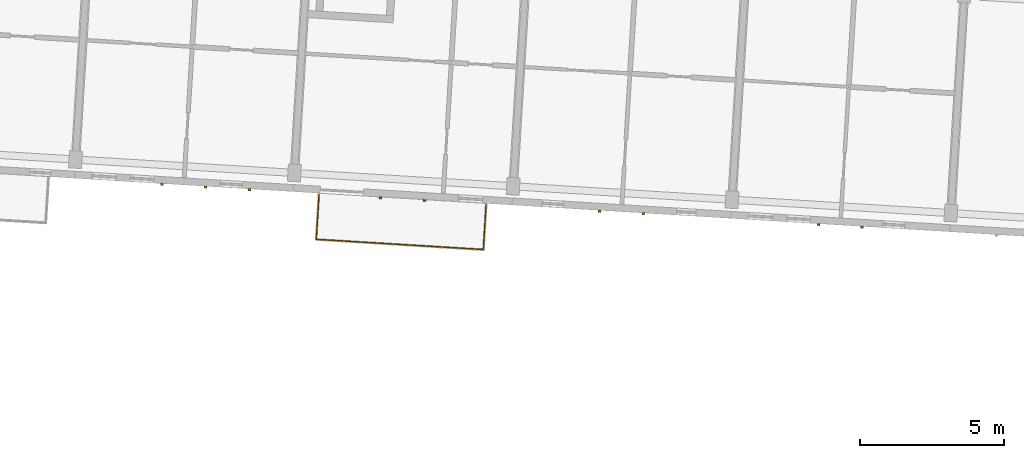
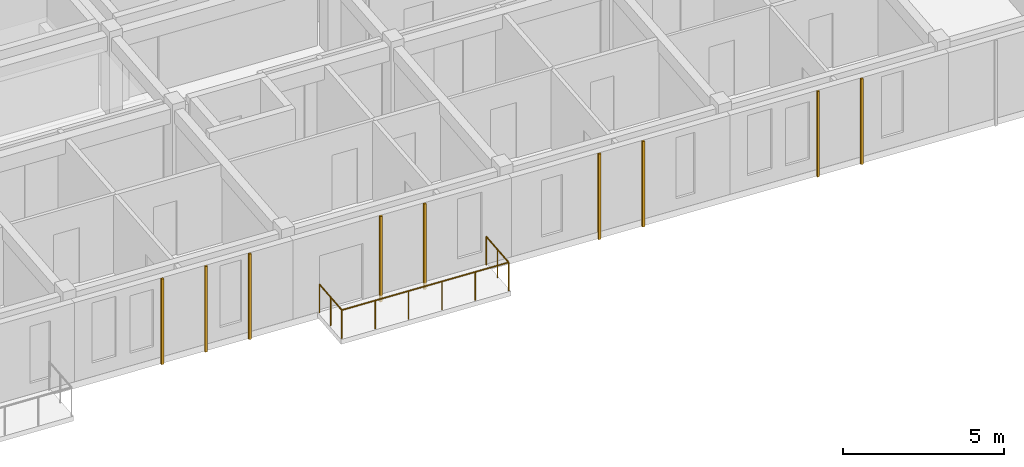
# One storey, part 48 of 65: 9 coverings, 1 railing.
"""IFC4 building model written with IfcOpenShell, lengths in metres."""

from ifc_helpers import new_model, si_unit, direction, frame, origin, origin_2d, place, context, subcontext, project, spatial, rectangle, circle, extrude, material, layer, layer_set, type_object, element, save


model = new_model("IFC4")

# Units and contexts
model_context = context("Model", 3, precision=1e-05, world=origin(), true_north=direction((0.0, 1.0)))
body_context = subcontext(model_context, "Body", "Model", "MODEL_VIEW")
ifc_project = project(units=[si_unit("LENGTHUNIT", "METRE"), si_unit("AREAUNIT", "SQUARE_METRE"), si_unit("VOLUMEUNIT", "CUBIC_METRE"), si_unit("PLANEANGLEUNIT", "RADIAN"), si_unit("MASSUNIT", "GRAM", prefix="KILO")], contexts=[model_context])

# Site, building, storey
site_placement = place(None, origin())
site = spatial("IfcSite", under=ifc_project, at=site_placement, CompositionType="ELEMENT")
building_placement = place(site_placement, origin())
building = spatial("IfcBuilding", under=site, at=building_placement, Name="Kestramere Prow Commons", CompositionType="ELEMENT")
storey_placement = place(building_placement, frame((0.0, 0.0, 21.39990234375)))
storey = spatial("IfcBuildingStorey", under=building, at=storey_placement, Name="L06", CompositionType="ELEMENT", Elevation=21.39990234375)

# Coverings
ifc_material_1 = material(Name="Weathered Zinc-Titanium Standing-Seam Cladding")
ifc_layer = layer(ifc_material_1, 0.074951171875)
ifc_layer_set = layer_set([ifc_layer], Name="Weathered Zinc-Titanium Standing-Seam Cladding")
covering_type = type_object("IfcCoveringType", Name="COV-CLAD-SEAM", PredefinedType="CLADDING", material=ifc_layer_set)
for number, where, z_axis, x_axis, name in (
    (1, (73.113037109375, 44.988525390625, -0.25), (0.0, 0.0, 1.0), (-0.998134798422, 0.061048539535, 0.0), "EW-C-L06-S-1 Standing-Seam Rib 1"),
    (2, (71.595947265625, 45.081298828125, -0.25), (0.0, 0.0, 1.0), (-0.998134798422, 0.061048539535, 0.0), "EW-C-L06-S-1 Standing-Seam Rib 2"),
    (3, (70.078857421875, 45.17431640625, -0.25), (0.0, 0.0, 1.0), (-0.998134798422, 0.061048539535, 0.0), "EW-C-L06-S-1 Standing-Seam Rib 3"),
    (4, (79.181884765625, 44.617431640625, -0.25), (0.0, 0.0, 1.0), (-0.998134798422, 0.061048539535, 0.0), "EW-C-L06-S-2 Standing-Seam Rib 2"),
    (5, (77.66455078125, 44.710205078125, -0.25), (0.0, 0.0, 1.0), (-0.998134798422, 0.061048539535, 0.0), "EW-C-L06-S-2 Standing-Seam Rib 3"),
    (6, (86.767578125, 44.153564453125, -0.25), (0.0, 0.0, 1.0), (-0.998134798422, 0.061048539535, 0.0), "EW-C-L06-S-3 Standing-Seam Rib 2"),
    (7, (85.25048828125, 44.246337890625, -0.25), (0.0, 0.0, 1.0), (-0.998134798422, 0.061048539535, 0.0), "EW-C-L06-S-3 Standing-Seam Rib 3"),
    (8, (94.353515625, 43.689453125, -0.25), (0.0, 0.0, 1.0), (-0.998134798422, 0.061048539535, 0.0), "EW-C-L06-S-4 Standing-Seam Rib 2"),
    (9, (92.836181640625, 43.7822265625, -0.25), (0.0, 0.0, 1.0), (-0.998134798422, 0.061048539535, 0.0), "EW-C-L06-S-4 Standing-Seam Rib 3"),
):
    element("IfcCovering", number, at=place(storey_placement, frame(where, z_axis=z_axis, x_axis=x_axis)), inside=storey, type_object=covering_type, Name=name, PredefinedType="CLADDING", context=body_context, shape_type="SweptSolid", body=[
        extrude(rectangle(XDim=0.0849609375, YDim=0.06494140625, at=origin_2d()), origin(), (0.0, 0.0, 1.0), 3.25),
    ])

# Railing
ifc_material_2 = material(Name="Powder-Coated Aluminium 6063-T6", Category="aluminium")
railing_type = type_object("IfcRailingType", Name="GRD-BALC-1100", PredefinedType="BALUSTRADE", material=ifc_material_2)
railing_placement = place(storey_placement, frame((75.52783203125, 44.828369140625, 0.0)))
element("IfcRailing", 10, at=railing_placement, inside=storey, type_object=railing_type, Name="Block C L06 Balcony Guardrail 3", PredefinedType="BALUSTRADE", context=body_context, shape_type="SweptSolid", body=[
    extrude(circle(Radius=0.02392578125, at=origin_2d()), frame((0.0, 0.0, 1.076171875), z_axis=(-0.061033697925, -0.998135706063, 0.0), x_axis=(0.998135706063, -0.061033697925, 0.0)), (0.0, 0.0, 1.0), 1.56005859375),
    extrude(circle(Radius=0.02392578125, at=origin_2d()), frame((-0.09521484375, -1.55712890625, 1.076171875), z_axis=(0.998135537192, -0.061036459553, 0.0), x_axis=(0.061036459553, 0.998135537192, 0.0)), (0.0, 0.0, 1.0), 5.7998046875),
    extrude(circle(Radius=0.02392578125, at=origin_2d()), frame((5.69384765625, -1.9111328125, 1.076171875), z_axis=(0.061189609383, 0.998126160214, 0.0), x_axis=(-0.998126160214, 0.061189609383, 0.0)), (0.0, 0.0, 1.0), 1.56005859375),
    extrude(circle(Radius=0.02099609375, at=origin_2d()), origin(), (0.0, 0.0, 1.0), 1.052001953125),
    extrude(circle(Radius=0.02099609375, at=origin_2d()), frame((-0.047607421875, -0.778564453125, 0.0)), (0.0, 0.0, 1.0), 1.052001953125),
    extrude(circle(Radius=0.02099609375, at=origin_2d()), frame((-0.09521484375, -1.55712890625, 0.0)), (0.0, 0.0, 1.0), 1.052001953125),
    extrude(circle(Radius=0.02099609375, at=origin_2d()), frame((1.0625, -1.6279296875, 0.0)), (0.0, 0.0, 1.0), 1.052001953125),
    extrude(circle(Radius=0.02099609375, at=origin_2d()), frame((2.220458984375, -1.69873046875, 0.0)), (0.0, 0.0, 1.0), 1.052001953125),
    extrude(circle(Radius=0.02099609375, at=origin_2d()), frame((3.378173828125, -1.76953125, 0.0)), (0.0, 0.0, 1.0), 1.052001953125),
    extrude(circle(Radius=0.02099609375, at=origin_2d()), frame((4.5361328125, -1.84033203125, 0.0)), (0.0, 0.0, 1.0), 1.052001953125),
    extrude(circle(Radius=0.02099609375, at=origin_2d()), frame((5.69384765625, -1.9111328125, 0.0)), (0.0, 0.0, 1.0), 1.052001953125),
    extrude(circle(Radius=0.02099609375, at=origin_2d()), frame((5.74169921875, -1.132568359375, 0.0)), (0.0, 0.0, 1.0), 1.052001953125),
    extrude(circle(Radius=0.02099609375, at=origin_2d()), frame((5.789306640625, -0.35400390625, 0.0)), (0.0, 0.0, 1.0), 1.052001953125),
])

save(model, "model.ifc")
